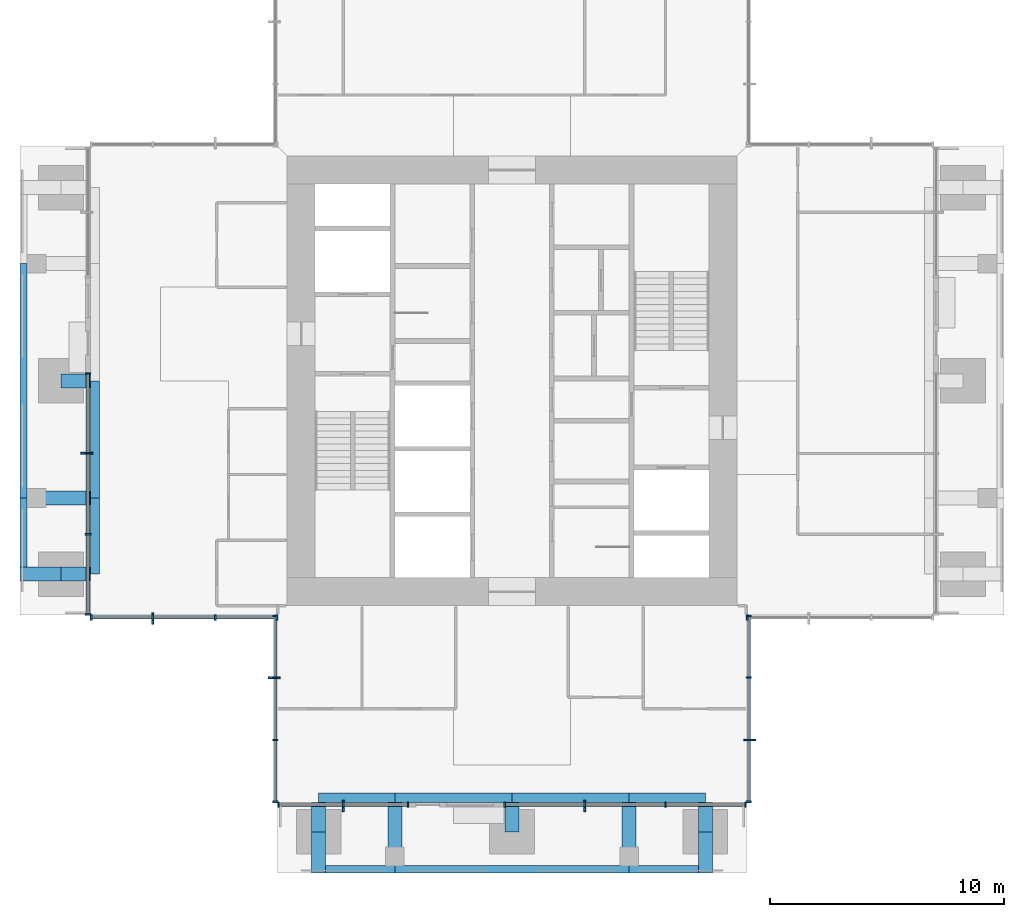
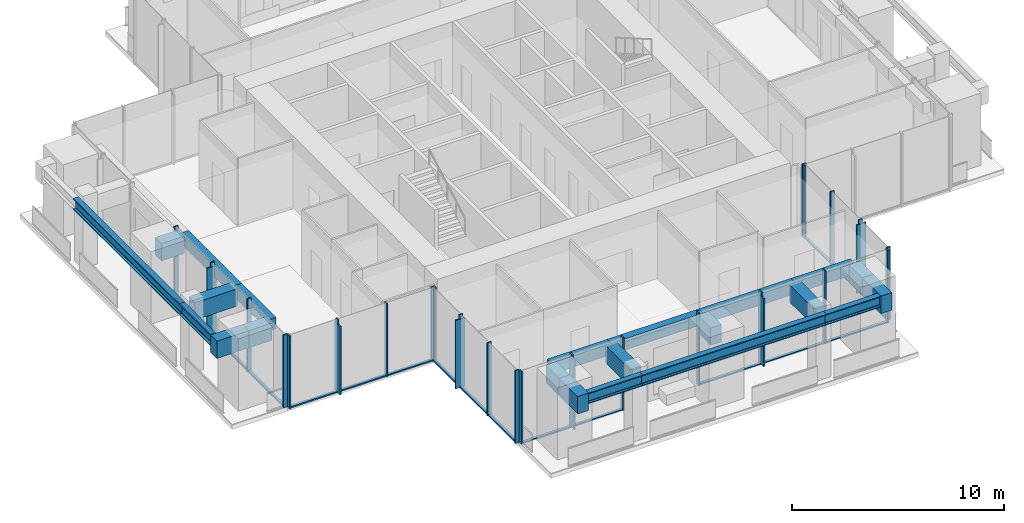
# One storey, part 2 of 12: 47 members, 22 beams, 7 elements without a shape of their own.
"""IFC4 building model written with IfcOpenShell, lengths in metres."""

from ifc_helpers import new_model, si_unit, direction, frame, origin, origin_2d, place, context, subcontext, project, spatial, rectangle, i_section, extrude, material, material_profile, profile_set, type_object, element, aggregate, save


model = new_model("IFC4")

# Units and contexts
model_context = context("Model", 3, precision=1e-05, world=origin(), true_north=direction((0.0, 1.0)))
body_context = subcontext(model_context, "Body", "Model", "MODEL_VIEW")
ifc_project = project(units=[si_unit("LENGTHUNIT", "METRE"), si_unit("AREAUNIT", "SQUARE_METRE"), si_unit("VOLUMEUNIT", "CUBIC_METRE"), si_unit("PLANEANGLEUNIT", "RADIAN"), si_unit("MASSUNIT", "GRAM", prefix="KILO")], contexts=[model_context])

# Site, building, storey
site_placement = place(None, origin())
site = spatial("IfcSite", under=ifc_project, at=site_placement, CompositionType="ELEMENT")
building_placement = place(site_placement, origin())
building = spatial("IfcBuilding", under=site, at=building_placement, Name="Svetlomir Tower", CompositionType="ELEMENT")
storey_placement = place(building_placement, frame((0.0, 0.0, 256.60009765625)))
storey = spatial("IfcBuildingStorey", under=building, at=storey_placement, Name="L61", CompositionType="ELEMENT", Elevation=256.60009765625)

# Curtain wall, member
ifc_material_1 = material(Name="Bronze anodised aluminium curtain wall", Category="aluminium")
curtain_wall_type = type_object("IfcCurtainWallType", Name="CURTAIN WALL CW4 EXECUTIVE", PredefinedType="NOTDEFINED", material=ifc_material_1)
curtain_wall_1_placement = place(storey_placement, origin())
curtain_wall_1 = element("IfcCurtainWall", 1, at=curtain_wall_1_placement, inside=storey, type_object=curtain_wall_type, Name="Curtain wall CW4 L61", PredefinedType="NOTDEFINED")
ifc_material_2 = material(Name="Bronze anodised aluminium", Category="aluminium")
ifc_material_profile_1 = material_profile(ifc_material_2, rectangle(XDim=0.080078125, YDim=0.5, at=origin_2d()), Name="FIN 80x500")
ifc_profile_set_1 = profile_set([ifc_material_profile_1], Name="Bronze anodised aluminium 6063-T6")
member_type_1 = type_object("IfcMemberType", Name="BRONZE FIN 80x500", PredefinedType="USERDEFINED", material=ifc_profile_set_1)
member_1_placement = place(storey_placement, frame((13.800048828125, 2.85009765625, 0.0), z_axis=(0.0, 0.0, 1.0), x_axis=(1.0, 0.0, 0.0)))
member_1 = element("IfcMember", 2, at=member_1_placement, type_object=member_type_1, Name="Bronze fin L61", ObjectType="FIN", PredefinedType="USERDEFINED", context=body_context, shape_type="SweptSolid", body=[
    extrude(rectangle(XDim=0.080078125, YDim=0.5, at=origin_2d()), origin(), (0.0, 0.0, 1.0), 3.949951171875),
])

curtain_wall_2_placement = place(storey_placement, origin())
curtain_wall_2 = element("IfcCurtainWall", 3, at=curtain_wall_2_placement, inside=storey, type_object=curtain_wall_type, Name="Curtain wall CW4 L61", PredefinedType="NOTDEFINED")
member_2_placement = place(storey_placement, frame((24.10009765625, 2.85009765625, 0.0), z_axis=(0.0, 0.0, 1.0), x_axis=(1.0, 0.0, 0.0)))
member_2 = element("IfcMember", 4, at=member_2_placement, type_object=member_type_1, Name="Bronze fin L61", ObjectType="FIN", PredefinedType="USERDEFINED", context=body_context, shape_type="SweptSolid", body=[
    extrude(rectangle(XDim=0.080078125, YDim=0.5, at=origin_2d()), origin(), (0.0, 0.0, 1.0), 3.949951171875),
])

curtain_wall_3_placement = place(storey_placement, origin())
curtain_wall_3 = element("IfcCurtainWall", 5, at=curtain_wall_3_placement, inside=storey, type_object=curtain_wall_type, Name="Curtain wall CW4 L61", PredefinedType="NOTDEFINED")
member_3_placement = place(storey_placement, frame((31.14990234375, 5.666748046875, 0.0), z_axis=(0.0, 0.0, 1.0), x_axis=(0.0, 1.0, 0.0)))
member_3 = element("IfcMember", 6, at=member_3_placement, type_object=member_type_1, Name="Bronze fin L61", ObjectType="FIN", PredefinedType="USERDEFINED", context=body_context, shape_type="SweptSolid", body=[
    extrude(rectangle(XDim=0.080078125, YDim=0.5, at=origin_2d()), origin(), (0.0, 0.0, 1.0), 3.949951171875),
])

curtain_wall_4_placement = place(storey_placement, origin())
curtain_wall_4 = element("IfcCurtainWall", 7, at=curtain_wall_4_placement, inside=storey, type_object=curtain_wall_type, Name="Curtain wall CW4 L61", PredefinedType="NOTDEFINED")
member_4_placement = place(storey_placement, frame((2.85009765625, 17.89990234375, 0.0), z_axis=(0.0, 0.0, 1.0), x_axis=(0.0, 1.0, 0.0)))
member_4 = element("IfcMember", 8, at=member_4_placement, type_object=member_type_1, Name="Bronze fin L61", ObjectType="FIN", PredefinedType="USERDEFINED", context=body_context, shape_type="SweptSolid", body=[
    extrude(rectangle(XDim=0.080078125, YDim=0.5, at=origin_2d()), origin(), (0.0, 0.0, 1.0), 3.949951171875),
])

curtain_wall_5_placement = place(storey_placement, origin())
curtain_wall_5 = element("IfcCurtainWall", 9, at=curtain_wall_5_placement, inside=storey, type_object=curtain_wall_type, Name="Curtain wall CW4 L61", PredefinedType="NOTDEFINED")
member_5_placement = place(storey_placement, frame((5.666748046875, 10.85009765625, 0.0), z_axis=(0.0, 0.0, 1.0), x_axis=(1.0, 0.0, 0.0)))
member_5 = element("IfcMember", 10, at=member_5_placement, type_object=member_type_1, Name="Bronze fin L61", ObjectType="FIN", PredefinedType="USERDEFINED", context=body_context, shape_type="SweptSolid", body=[
    extrude(rectangle(XDim=0.080078125, YDim=0.5, at=origin_2d()), origin(), (0.0, 0.0, 1.0), 3.949951171875),
])

curtain_wall_6_placement = place(storey_placement, origin())
curtain_wall_6 = element("IfcCurtainWall", 11, at=curtain_wall_6_placement, inside=storey, type_object=curtain_wall_type, Name="Curtain wall CW4 L61", PredefinedType="NOTDEFINED")
member_6_placement = place(storey_placement, frame((10.85009765625, 8.333251953125, 0.0), z_axis=(0.0, 0.0, 1.0), x_axis=(0.0, 1.0, 0.0)))
member_6 = element("IfcMember", 12, at=member_6_placement, type_object=member_type_1, Name="Bronze fin L61", ObjectType="FIN", PredefinedType="USERDEFINED", context=body_context, shape_type="SweptSolid", body=[
    extrude(rectangle(XDim=0.080078125, YDim=0.5, at=origin_2d()), origin(), (0.0, 0.0, 1.0), 3.949951171875),
])

# Member
ifc_material_3 = material(Name="Bronze anodised aluminium", Category="aluminium")
ifc_material_profile_2 = material_profile(ifc_material_3, rectangle(XDim=0.074951171875, YDim=0.219970703125, at=origin_2d()), Name="AL 75x220")
ifc_profile_set_2 = profile_set([ifc_material_profile_2], Name="Bronze anodised aluminium 6063-T6")
member_type_2 = type_object("IfcMemberType", Name="CW4 MULLION 75x220", PredefinedType="MULLION", material=ifc_profile_set_2)
member_7_placement = place(storey_placement, frame((11.03759765625, 2.89990234375, 0.0), z_axis=(0.0, 0.0, 1.0), x_axis=(1.0, 0.0, 0.0)))
member_7 = element("IfcMember", 13, at=member_7_placement, type_object=member_type_2, Name="CW4 mullion 1", PredefinedType="MULLION", context=body_context, shape_type="SweptSolid", body=[
    extrude(rectangle(XDim=0.074951171875, YDim=0.219970703125, at=origin_2d()), origin(), (0.0, 0.0, 1.0), 4.199951171875),
])

member_8_placement = place(storey_placement, frame((13.800048828125, 2.89990234375, 0.0), z_axis=(0.0, 0.0, 1.0), x_axis=(1.0, 0.0, 0.0)))
member_8 = element("IfcMember", 14, at=member_8_placement, type_object=member_type_2, Name="CW4 mullion 2", PredefinedType="MULLION", context=body_context, shape_type="SweptSolid", body=[
    extrude(rectangle(XDim=0.074951171875, YDim=0.219970703125, at=origin_2d()), origin(), (0.0, 0.0, 1.0), 4.199951171875),
])

member_9_placement = place(storey_placement, frame((16.5625, 2.89990234375, 0.0), z_axis=(0.0, 0.0, 1.0), x_axis=(1.0, 0.0, 0.0)))
member_9 = element("IfcMember", 15, at=member_9_placement, type_object=member_type_2, Name="CW4 mullion 3", PredefinedType="MULLION", context=body_context, shape_type="SweptSolid", body=[
    extrude(rectangle(XDim=0.074951171875, YDim=0.219970703125, at=origin_2d()), origin(), (0.0, 0.0, 1.0), 4.199951171875),
])

member_10_placement = place(storey_placement, frame((20.6875, 2.89990234375, 0.0), z_axis=(0.0, 0.0, 1.0), x_axis=(1.0, 0.0, 0.0)))
member_10 = element("IfcMember", 16, at=member_10_placement, type_object=member_type_2, Name="CW4 mullion 1", PredefinedType="MULLION", context=body_context, shape_type="SweptSolid", body=[
    extrude(rectangle(XDim=0.074951171875, YDim=0.219970703125, at=origin_2d()), origin(), (0.0, 0.0, 1.0), 4.199951171875),
])

member_11_placement = place(storey_placement, frame((24.10009765625, 2.89990234375, 0.0), z_axis=(0.0, 0.0, 1.0), x_axis=(1.0, 0.0, 0.0)))
member_11 = element("IfcMember", 17, at=member_11_placement, type_object=member_type_2, Name="CW4 mullion 2", PredefinedType="MULLION", context=body_context, shape_type="SweptSolid", body=[
    extrude(rectangle(XDim=0.074951171875, YDim=0.219970703125, at=origin_2d()), origin(), (0.0, 0.0, 1.0), 4.199951171875),
])

member_12_placement = place(storey_placement, frame((27.550048828125, 2.89990234375, 0.0), z_axis=(0.0, 0.0, 1.0), x_axis=(1.0, 0.0, 0.0)))
member_12 = element("IfcMember", 18, at=member_12_placement, type_object=member_type_2, Name="CW4 mullion 3", PredefinedType="MULLION", context=body_context, shape_type="SweptSolid", body=[
    extrude(rectangle(XDim=0.074951171875, YDim=0.219970703125, at=origin_2d()), origin(), (0.0, 0.0, 1.0), 4.199951171875),
])

member_13_placement = place(storey_placement, frame((30.96240234375, 2.89990234375, 0.0), z_axis=(0.0, 0.0, 1.0), x_axis=(1.0, 0.0, 0.0)))
member_13 = element("IfcMember", 19, at=member_13_placement, type_object=member_type_2, Name="CW4 mullion 4", PredefinedType="MULLION", context=body_context, shape_type="SweptSolid", body=[
    extrude(rectangle(XDim=0.074951171875, YDim=0.219970703125, at=origin_2d()), origin(), (0.0, 0.0, 1.0), 4.199951171875),
])

member_14_placement = place(storey_placement, frame((31.10009765625, 3.03759765625, 0.0), z_axis=(0.0, 0.0, 1.0), x_axis=(0.0, 1.0, 0.0)))
member_14 = element("IfcMember", 20, at=member_14_placement, type_object=member_type_2, Name="CW4 mullion 1", PredefinedType="MULLION", context=body_context, shape_type="SweptSolid", body=[
    extrude(rectangle(XDim=0.074951171875, YDim=0.219970703125, at=origin_2d()), origin(), (0.0, 0.0, 1.0), 4.199951171875),
])

member_15_placement = place(storey_placement, frame((31.10009765625, 5.666748046875, 0.0), z_axis=(0.0, 0.0, 1.0), x_axis=(0.0, 1.0, 0.0)))
member_15 = element("IfcMember", 21, at=member_15_placement, type_object=member_type_2, Name="CW4 mullion 2", PredefinedType="MULLION", context=body_context, shape_type="SweptSolid", body=[
    extrude(rectangle(XDim=0.074951171875, YDim=0.219970703125, at=origin_2d()), origin(), (0.0, 0.0, 1.0), 4.199951171875),
])

member_16_placement = place(storey_placement, frame((31.10009765625, 8.333251953125, 0.0), z_axis=(0.0, 0.0, 1.0), x_axis=(0.0, 1.0, 0.0)))
member_16 = element("IfcMember", 22, at=member_16_placement, type_object=member_type_2, Name="CW4 mullion 3", PredefinedType="MULLION", context=body_context, shape_type="SweptSolid", body=[
    extrude(rectangle(XDim=0.074951171875, YDim=0.219970703125, at=origin_2d()), origin(), (0.0, 0.0, 1.0), 4.199951171875),
])

member_17_placement = place(storey_placement, frame((31.10009765625, 10.96240234375, 0.0), z_axis=(0.0, 0.0, 1.0), x_axis=(0.0, 1.0, 0.0)))
member_17 = element("IfcMember", 23, at=member_17_placement, type_object=member_type_2, Name="CW4 mullion 4", PredefinedType="MULLION", context=body_context, shape_type="SweptSolid", body=[
    extrude(rectangle(XDim=0.074951171875, YDim=0.219970703125, at=origin_2d()), origin(), (0.0, 0.0, 1.0), 4.199951171875),
])

# Curtain wall, member
curtain_wall_7_placement = place(storey_placement, origin())
curtain_wall_7 = element("IfcCurtainWall", 24, at=curtain_wall_7_placement, inside=storey, type_object=curtain_wall_type, Name="Curtain wall CW4 L61", PredefinedType="NOTDEFINED")
member_18_placement = place(storey_placement, frame((31.03759765625, 10.89990234375, 0.0), z_axis=(0.0, 0.0, 1.0), x_axis=(1.0, 0.0, 0.0)))
member_18 = element("IfcMember", 25, at=member_18_placement, type_object=member_type_2, Name="CW4 mullion 1", PredefinedType="MULLION", context=body_context, shape_type="SweptSolid", body=[
    extrude(rectangle(XDim=0.074951171875, YDim=0.219970703125, at=origin_2d()), origin(), (0.0, 0.0, 1.0), 4.199951171875),
])
aggregate(curtain_wall_7, [member_18])

# Member
member_19_placement = place(storey_placement, frame((2.89990234375, 21.3125, 0.0), z_axis=(0.0, 0.0, 1.0), x_axis=(0.0, -1.0, 0.0)))
member_19 = element("IfcMember", 26, at=member_19_placement, type_object=member_type_2, Name="CW4 mullion 1", PredefinedType="MULLION", context=body_context, shape_type="SweptSolid", body=[
    extrude(rectangle(XDim=0.074951171875, YDim=0.219970703125, at=origin_2d()), origin(), (0.0, 0.0, 1.0), 4.199951171875),
])

member_20_placement = place(storey_placement, frame((2.89990234375, 17.89990234375, 0.0), z_axis=(0.0, 0.0, 1.0), x_axis=(0.0, -1.0, 0.0)))
member_20 = element("IfcMember", 27, at=member_20_placement, type_object=member_type_2, Name="CW4 mullion 2", PredefinedType="MULLION", context=body_context, shape_type="SweptSolid", body=[
    extrude(rectangle(XDim=0.074951171875, YDim=0.219970703125, at=origin_2d()), origin(), (0.0, 0.0, 1.0), 4.199951171875),
])

member_21_placement = place(storey_placement, frame((2.89990234375, 14.449951171875, 0.0), z_axis=(0.0, 0.0, 1.0), x_axis=(0.0, -1.0, 0.0)))
member_21 = element("IfcMember", 28, at=member_21_placement, type_object=member_type_2, Name="CW4 mullion 3", PredefinedType="MULLION", context=body_context, shape_type="SweptSolid", body=[
    extrude(rectangle(XDim=0.074951171875, YDim=0.219970703125, at=origin_2d()), origin(), (0.0, 0.0, 1.0), 4.199951171875),
])

member_22_placement = place(storey_placement, frame((2.89990234375, 11.03759765625, 0.0), z_axis=(0.0, 0.0, 1.0), x_axis=(0.0, -1.0, 0.0)))
member_22 = element("IfcMember", 29, at=member_22_placement, type_object=member_type_2, Name="CW4 mullion 4", PredefinedType="MULLION", context=body_context, shape_type="SweptSolid", body=[
    extrude(rectangle(XDim=0.074951171875, YDim=0.219970703125, at=origin_2d()), origin(), (0.0, 0.0, 1.0), 4.199951171875),
])

member_23_placement = place(storey_placement, frame((3.03759765625, 10.89990234375, 0.0), z_axis=(0.0, 0.0, 1.0), x_axis=(1.0, 0.0, 0.0)))
member_23 = element("IfcMember", 30, at=member_23_placement, type_object=member_type_2, Name="CW4 mullion 1", PredefinedType="MULLION", context=body_context, shape_type="SweptSolid", body=[
    extrude(rectangle(XDim=0.074951171875, YDim=0.219970703125, at=origin_2d()), origin(), (0.0, 0.0, 1.0), 4.199951171875),
])

member_24_placement = place(storey_placement, frame((5.666748046875, 10.89990234375, 0.0), z_axis=(0.0, 0.0, 1.0), x_axis=(1.0, 0.0, 0.0)))
member_24 = element("IfcMember", 31, at=member_24_placement, type_object=member_type_2, Name="CW4 mullion 2", PredefinedType="MULLION", context=body_context, shape_type="SweptSolid", body=[
    extrude(rectangle(XDim=0.074951171875, YDim=0.219970703125, at=origin_2d()), origin(), (0.0, 0.0, 1.0), 4.199951171875),
])

member_25_placement = place(storey_placement, frame((8.333251953125, 10.89990234375, 0.0), z_axis=(0.0, 0.0, 1.0), x_axis=(1.0, 0.0, 0.0)))
member_25 = element("IfcMember", 32, at=member_25_placement, type_object=member_type_2, Name="CW4 mullion 3", PredefinedType="MULLION", context=body_context, shape_type="SweptSolid", body=[
    extrude(rectangle(XDim=0.074951171875, YDim=0.219970703125, at=origin_2d()), origin(), (0.0, 0.0, 1.0), 4.199951171875),
])

member_26_placement = place(storey_placement, frame((10.96240234375, 10.89990234375, 0.0), z_axis=(0.0, 0.0, 1.0), x_axis=(1.0, 0.0, 0.0)))
member_26 = element("IfcMember", 33, at=member_26_placement, type_object=member_type_2, Name="CW4 mullion 4", PredefinedType="MULLION", context=body_context, shape_type="SweptSolid", body=[
    extrude(rectangle(XDim=0.074951171875, YDim=0.219970703125, at=origin_2d()), origin(), (0.0, 0.0, 1.0), 4.199951171875),
])

member_27_placement = place(storey_placement, frame((10.89990234375, 10.96240234375, 0.0), z_axis=(0.0, 0.0, 1.0), x_axis=(0.0, -1.0, 0.0)))
member_27 = element("IfcMember", 34, at=member_27_placement, type_object=member_type_2, Name="CW4 mullion 1", PredefinedType="MULLION", context=body_context, shape_type="SweptSolid", body=[
    extrude(rectangle(XDim=0.074951171875, YDim=0.219970703125, at=origin_2d()), origin(), (0.0, 0.0, 1.0), 4.199951171875),
])

member_28_placement = place(storey_placement, frame((10.89990234375, 8.333251953125, 0.0), z_axis=(0.0, 0.0, 1.0), x_axis=(0.0, -1.0, 0.0)))
member_28 = element("IfcMember", 35, at=member_28_placement, type_object=member_type_2, Name="CW4 mullion 2", PredefinedType="MULLION", context=body_context, shape_type="SweptSolid", body=[
    extrude(rectangle(XDim=0.074951171875, YDim=0.219970703125, at=origin_2d()), origin(), (0.0, 0.0, 1.0), 4.199951171875),
])

member_29_placement = place(storey_placement, frame((10.89990234375, 5.666748046875, 0.0), z_axis=(0.0, 0.0, 1.0), x_axis=(0.0, -1.0, 0.0)))
member_29 = element("IfcMember", 36, at=member_29_placement, type_object=member_type_2, Name="CW4 mullion 3", PredefinedType="MULLION", context=body_context, shape_type="SweptSolid", body=[
    extrude(rectangle(XDim=0.074951171875, YDim=0.219970703125, at=origin_2d()), origin(), (0.0, 0.0, 1.0), 4.199951171875),
])

member_30_placement = place(storey_placement, frame((10.89990234375, 3.03759765625, 0.0), z_axis=(0.0, 0.0, 1.0), x_axis=(0.0, -1.0, 0.0)))
member_30 = element("IfcMember", 37, at=member_30_placement, type_object=member_type_2, Name="CW4 mullion 4", PredefinedType="MULLION", context=body_context, shape_type="SweptSolid", body=[
    extrude(rectangle(XDim=0.074951171875, YDim=0.219970703125, at=origin_2d()), origin(), (0.0, 0.0, 1.0), 4.199951171875),
])

ifc_material_4 = material(Name="Bronze anodised aluminium", Category="aluminium")
ifc_material_profile_3 = material_profile(ifc_material_4, rectangle(XDim=0.14990234375, YDim=0.074951171875, at=origin_2d()), Name="AL 150x75")
ifc_profile_set_3 = profile_set([ifc_material_profile_3], Name="Bronze anodised aluminium 6063-T6")
member_type_3 = type_object("IfcMemberType", Name="CW4 TRANSOM 75x150", PredefinedType="USERDEFINED", material=ifc_profile_set_3)
member_31_placement = place(storey_placement, frame((11.074951171875, 2.89990234375, 0.037353515625), z_axis=(1.0, 0.0, 0.0), x_axis=(0.0, 1.0, 0.0)))
member_31 = element("IfcMember", 38, at=member_31_placement, type_object=member_type_3, Name="CW4 transom 1.1", ObjectType="TRANSOM", PredefinedType="USERDEFINED", context=body_context, shape_type="SweptSolid", body=[
    extrude(rectangle(XDim=0.14990234375, YDim=0.074951171875, at=origin_2d()), origin(), (0.0, 0.0, 1.0), 2.6875),
])

member_32_placement = place(storey_placement, frame((13.83740234375, 2.89990234375, 0.037353515625), z_axis=(1.0, 0.0, 0.0), x_axis=(0.0, 1.0, 0.0)))
member_32 = element("IfcMember", 39, at=member_32_placement, type_object=member_type_3, Name="CW4 transom 2.1", ObjectType="TRANSOM", PredefinedType="USERDEFINED", context=body_context, shape_type="SweptSolid", body=[
    extrude(rectangle(XDim=0.14990234375, YDim=0.074951171875, at=origin_2d()), origin(), (0.0, 0.0, 1.0), 2.6875),
])

aggregate(curtain_wall_1, [member_7, member_8, member_9, member_31, member_32, member_1])

member_33_placement = place(storey_placement, frame((20.72509765625, 2.89990234375, 0.037353515625), z_axis=(1.0, 0.0, 0.0), x_axis=(0.0, 1.0, 0.0)))
member_33 = element("IfcMember", 40, at=member_33_placement, type_object=member_type_3, Name="CW4 transom 1.1", ObjectType="TRANSOM", PredefinedType="USERDEFINED", context=body_context, shape_type="SweptSolid", body=[
    extrude(rectangle(XDim=0.14990234375, YDim=0.074951171875, at=origin_2d()), origin(), (0.0, 0.0, 1.0), 3.33740234375),
])

member_34_placement = place(storey_placement, frame((24.137451171875, 2.89990234375, 0.037353515625), z_axis=(1.0, 0.0, 0.0), x_axis=(0.0, 1.0, 0.0)))
member_34 = element("IfcMember", 41, at=member_34_placement, type_object=member_type_3, Name="CW4 transom 2.1", ObjectType="TRANSOM", PredefinedType="USERDEFINED", context=body_context, shape_type="SweptSolid", body=[
    extrude(rectangle(XDim=0.14990234375, YDim=0.074951171875, at=origin_2d()), origin(), (0.0, 0.0, 1.0), 3.375),
])

member_35_placement = place(storey_placement, frame((27.58740234375, 2.89990234375, 0.037353515625), z_axis=(1.0, 0.0, 0.0), x_axis=(0.0, 1.0, 0.0)))
member_35 = element("IfcMember", 42, at=member_35_placement, type_object=member_type_3, Name="CW4 transom 3.1", ObjectType="TRANSOM", PredefinedType="USERDEFINED", context=body_context, shape_type="SweptSolid", body=[
    extrude(rectangle(XDim=0.14990234375, YDim=0.074951171875, at=origin_2d()), origin(), (0.0, 0.0, 1.0), 3.337646484375),
])

aggregate(curtain_wall_2, [member_10, member_11, member_12, member_13, member_33, member_34, member_35, member_2])

member_36_placement = place(storey_placement, frame((31.10009765625, 3.074951171875, 0.037353515625), z_axis=(0.0, 1.0, 0.0), x_axis=(-1.0, 0.0, 0.0)))
member_36 = element("IfcMember", 43, at=member_36_placement, type_object=member_type_3, Name="CW4 transom 1.1", ObjectType="TRANSOM", PredefinedType="USERDEFINED", context=body_context, shape_type="SweptSolid", body=[
    extrude(rectangle(XDim=0.14990234375, YDim=0.074951171875, at=origin_2d()), origin(), (0.0, 0.0, 1.0), 2.55419921875),
])

member_37_placement = place(storey_placement, frame((31.10009765625, 5.7041015625, 0.037353515625), z_axis=(0.0, 1.0, 0.0), x_axis=(-1.0, 0.0, 0.0)))
member_37 = element("IfcMember", 44, at=member_37_placement, type_object=member_type_3, Name="CW4 transom 2.1", ObjectType="TRANSOM", PredefinedType="USERDEFINED", context=body_context, shape_type="SweptSolid", body=[
    extrude(rectangle(XDim=0.14990234375, YDim=0.074951171875, at=origin_2d()), origin(), (0.0, 0.0, 1.0), 2.591796875),
])

member_38_placement = place(storey_placement, frame((31.10009765625, 8.370849609375, 0.037353515625), z_axis=(0.0, 1.0, 0.0), x_axis=(-1.0, 0.0, 0.0)))
member_38 = element("IfcMember", 45, at=member_38_placement, type_object=member_type_3, Name="CW4 transom 3.1", ObjectType="TRANSOM", PredefinedType="USERDEFINED", context=body_context, shape_type="SweptSolid", body=[
    extrude(rectangle(XDim=0.14990234375, YDim=0.074951171875, at=origin_2d()), origin(), (0.0, 0.0, 1.0), 2.55419921875),
])

aggregate(curtain_wall_3, [member_14, member_15, member_16, member_17, member_36, member_37, member_38, member_3])

member_39_placement = place(storey_placement, frame((2.89990234375, 21.27490234375, 0.037353515625), z_axis=(0.0, -1.0, 0.0), x_axis=(1.0, 0.0, 0.0)))
member_39 = element("IfcMember", 46, at=member_39_placement, type_object=member_type_3, Name="CW4 transom 1.1", ObjectType="TRANSOM", PredefinedType="USERDEFINED", context=body_context, shape_type="SweptSolid", body=[
    extrude(rectangle(XDim=0.14990234375, YDim=0.074951171875, at=origin_2d()), origin(), (0.0, 0.0, 1.0), 3.33740234375),
])

member_40_placement = place(storey_placement, frame((2.89990234375, 17.862548828125, 0.037353515625), z_axis=(0.0, -1.0, 0.0), x_axis=(1.0, 0.0, 0.0)))
member_40 = element("IfcMember", 47, at=member_40_placement, type_object=member_type_3, Name="CW4 transom 2.1", ObjectType="TRANSOM", PredefinedType="USERDEFINED", context=body_context, shape_type="SweptSolid", body=[
    extrude(rectangle(XDim=0.14990234375, YDim=0.074951171875, at=origin_2d()), origin(), (0.0, 0.0, 1.0), 3.375),
])

member_41_placement = place(storey_placement, frame((2.89990234375, 14.41259765625, 0.037353515625), z_axis=(0.0, -1.0, 0.0), x_axis=(1.0, 0.0, 0.0)))
member_41 = element("IfcMember", 48, at=member_41_placement, type_object=member_type_3, Name="CW4 transom 3.1", ObjectType="TRANSOM", PredefinedType="USERDEFINED", context=body_context, shape_type="SweptSolid", body=[
    extrude(rectangle(XDim=0.14990234375, YDim=0.074951171875, at=origin_2d()), origin(), (0.0, 0.0, 1.0), 3.337646484375),
])

aggregate(curtain_wall_4, [member_19, member_20, member_21, member_22, member_39, member_40, member_41, member_4])

member_42_placement = place(storey_placement, frame((3.074951171875, 10.89990234375, 0.037353515625), z_axis=(1.0, 0.0, 0.0), x_axis=(0.0, 1.0, 0.0)))
member_42 = element("IfcMember", 49, at=member_42_placement, type_object=member_type_3, Name="CW4 transom 1.1", ObjectType="TRANSOM", PredefinedType="USERDEFINED", context=body_context, shape_type="SweptSolid", body=[
    extrude(rectangle(XDim=0.14990234375, YDim=0.074951171875, at=origin_2d()), origin(), (0.0, 0.0, 1.0), 2.55419921875),
])

member_43_placement = place(storey_placement, frame((5.7041015625, 10.89990234375, 0.037353515625), z_axis=(1.0, 0.0, 0.0), x_axis=(0.0, 1.0, 0.0)))
member_43 = element("IfcMember", 50, at=member_43_placement, type_object=member_type_3, Name="CW4 transom 2.1", ObjectType="TRANSOM", PredefinedType="USERDEFINED", context=body_context, shape_type="SweptSolid", body=[
    extrude(rectangle(XDim=0.14990234375, YDim=0.074951171875, at=origin_2d()), origin(), (0.0, 0.0, 1.0), 2.591796875),
])

member_44_placement = place(storey_placement, frame((8.370849609375, 10.89990234375, 0.037353515625), z_axis=(1.0, 0.0, 0.0), x_axis=(0.0, 1.0, 0.0)))
member_44 = element("IfcMember", 51, at=member_44_placement, type_object=member_type_3, Name="CW4 transom 3.1", ObjectType="TRANSOM", PredefinedType="USERDEFINED", context=body_context, shape_type="SweptSolid", body=[
    extrude(rectangle(XDim=0.14990234375, YDim=0.074951171875, at=origin_2d()), origin(), (0.0, 0.0, 1.0), 2.55419921875),
])

aggregate(curtain_wall_5, [member_23, member_24, member_25, member_26, member_42, member_43, member_44, member_5])

member_45_placement = place(storey_placement, frame((10.89990234375, 10.925048828125, 0.037353515625), z_axis=(0.0, -1.0, 0.0), x_axis=(1.0, 0.0, 0.0)))
member_45 = element("IfcMember", 52, at=member_45_placement, type_object=member_type_3, Name="CW4 transom 1.1", ObjectType="TRANSOM", PredefinedType="USERDEFINED", context=body_context, shape_type="SweptSolid", body=[
    extrude(rectangle(XDim=0.14990234375, YDim=0.074951171875, at=origin_2d()), origin(), (0.0, 0.0, 1.0), 2.55419921875),
])

member_46_placement = place(storey_placement, frame((10.89990234375, 8.2958984375, 0.037353515625), z_axis=(0.0, -1.0, 0.0), x_axis=(1.0, 0.0, 0.0)))
member_46 = element("IfcMember", 53, at=member_46_placement, type_object=member_type_3, Name="CW4 transom 2.1", ObjectType="TRANSOM", PredefinedType="USERDEFINED", context=body_context, shape_type="SweptSolid", body=[
    extrude(rectangle(XDim=0.14990234375, YDim=0.074951171875, at=origin_2d()), origin(), (0.0, 0.0, 1.0), 2.591796875),
])

member_47_placement = place(storey_placement, frame((10.89990234375, 5.629150390625, 0.037353515625), z_axis=(0.0, -1.0, 0.0), x_axis=(1.0, 0.0, 0.0)))
member_47 = element("IfcMember", 54, at=member_47_placement, type_object=member_type_3, Name="CW4 transom 3.1", ObjectType="TRANSOM", PredefinedType="USERDEFINED", context=body_context, shape_type="SweptSolid", body=[
    extrude(rectangle(XDim=0.14990234375, YDim=0.074951171875, at=origin_2d()), origin(), (0.0, 0.0, 1.0), 2.55419921875),
])

aggregate(curtain_wall_6, [member_27, member_28, member_29, member_30, member_45, member_46, member_47, member_6])

# Beams
ifc_material_5 = material(Name="Steel S355", Category="steel")
ifc_material_profile_4 = material_profile(ifc_material_5, i_section(OverallWidth=0.304931640625, OverallDepth=0.6201171875, WebThickness=0.02099609375, FlangeThickness=0.0400390625, FilletRadius=0.027099609375, at=origin_2d()), Name="HEM 600")
ifc_profile_set_4 = profile_set([ifc_material_profile_4], Name="Steel S355")
beam_type_1 = type_object("IfcBeamType", Name="EDGE BEAM HEM 600", PredefinedType="SPANDREL", material=ifc_profile_set_4)
for number, where, z_axis, x_axis, name in (
    (55, (13.050048828125, 0.152587890625, 3.639892578125), (1.0, 0.0, 0.0), (0.0, 1.0, 0.0), "Edge beam 11/0 to 16/0 under L62"),
    (56, (0.152587890625, 13.050048828125, 3.639892578125), (0.0, 1.0, 0.0), (-1.0, 0.0, 0.0), "Edge beam 0/11 to 0/16 under L62"),
):
    element("IfcBeam", number, at=place(storey_placement, frame(where, z_axis=z_axis, x_axis=x_axis)), inside=storey, type_object=beam_type_1, Name=name, PredefinedType="SPANDREL", context=body_context, shape_type="SweptSolid", body=[
        extrude(i_section(OverallWidth=0.304931640625, OverallDepth=0.6201171875, WebThickness=0.02099609375, FlangeThickness=0.0400390625, FilletRadius=0.027099609375, at=origin_2d()), origin(), (0.0, 0.0, 1.0), 2.949951171875),
    ])
for number, where, z_axis, x_axis, name in (
    (57, (16.0, 0.152587890625, 3.639892578125), (1.0, 0.0, 0.0), (0.0, 1.0, 0.0), "Edge beam 16/0 to 26/0 under L62"),
    (58, (0.152587890625, 16.0, 3.639892578125), (0.0, 1.0, 0.0), (-1.0, 0.0, 0.0), "Edge beam 0/16 to 0/26 under L62"),
):
    element("IfcBeam", number, at=place(storey_placement, frame(where, z_axis=z_axis, x_axis=x_axis)), inside=storey, type_object=beam_type_1, Name=name, PredefinedType="SPANDREL", context=body_context, shape_type="SweptSolid", body=[
        extrude(i_section(OverallWidth=0.304931640625, OverallDepth=0.6201171875, WebThickness=0.02099609375, FlangeThickness=0.0400390625, FilletRadius=0.027099609375, at=origin_2d()), origin(), (0.0, 0.0, 1.0), 10.0),
    ])
beam_1_placement = place(storey_placement, frame((26.0, 0.152587890625, 3.639892578125), z_axis=(1.0, 0.0, 0.0), x_axis=(0.0, 1.0, 0.0)))
element("IfcBeam", 59, at=beam_1_placement, inside=storey, type_object=beam_type_1, Name="Edge beam 26/0 to 31/0 under L62", PredefinedType="SPANDREL", context=body_context, shape_type="SweptSolid", body=[
    extrude(i_section(OverallWidth=0.304931640625, OverallDepth=0.6201171875, WebThickness=0.02099609375, FlangeThickness=0.0400390625, FilletRadius=0.027099609375, at=origin_2d()), origin(), (0.0, 0.0, 1.0), 2.949951171875),
])
ifc_material_6 = material(Name="Concrete C60/75", Category="concrete")
ifc_material_profile_5 = material_profile(ifc_material_6, rectangle(XDim=0.60009765625, YDim=1.0, at=origin_2d()), Name="RC 600x1000")
ifc_profile_set_5 = profile_set([ifc_material_profile_5], Name="Concrete C60/75")
beam_type_2 = type_object("IfcBeamType", Name="EDGE LINK BEAM RC 600x1000", PredefinedType="BEAM", material=ifc_profile_set_5)
for number, where, z_axis, x_axis, name in (
    (60, (1.75, 12.75, 3.449951171875), (-1.0, 0.0, 0.0), (0.0, -1.0, 0.0), "Edge link beam W 0/11 under L62"),
    (61, (12.75, 1.75, 3.449951171875), (0.0, -1.0, 0.0), (1.0, 0.0, 0.0), "Edge link beam S 11/0 under L62"),
    (62, (29.25, 1.75, 3.449951171875), (0.0, -1.0, 0.0), (1.0, 0.0, 0.0), "Edge link beam S 31/0 under L62"),
):
    element("IfcBeam", number, at=place(storey_placement, frame(where, z_axis=z_axis, x_axis=x_axis)), inside=storey, type_object=beam_type_2, Name=name, PredefinedType="BEAM", context=body_context, shape_type="SweptSolid", body=[
        extrude(rectangle(XDim=0.60009765625, YDim=1.0, at=origin_2d()), origin(), (0.0, 0.0, 1.0), 1.75),
    ])
ifc_material_7 = material(Name="Concrete C60/75", Category="concrete")
ifc_material_profile_6 = material_profile(ifc_material_7, rectangle(XDim=0.39990234375, YDim=0.64990234375, at=origin_2d()), Name="RC 400x650")
ifc_profile_set_6 = profile_set([ifc_material_profile_6], Name="Concrete C60/75")
beam_type_3 = type_object("IfcBeamType", Name="FACADE EDGE BEAM RC 400x650", PredefinedType="BEAM", material=ifc_profile_set_6)
beam_2_placement = place(storey_placement, frame((12.75, 3.199951171875, 3.625), z_axis=(1.0, 0.0, 0.0), x_axis=(0.0, 1.0, 0.0)))
element("IfcBeam", 63, at=beam_2_placement, inside=storey, type_object=beam_type_3, Name="Facade edge beam S 11 to 16 under L62", PredefinedType="BEAM", context=body_context, shape_type="SweptSolid", body=[
    extrude(rectangle(XDim=0.39990234375, YDim=0.64990234375, at=origin_2d()), origin(), (0.0, 0.0, 1.0), 3.25),
])
for number, where, z_axis, x_axis, name in (
    (64, (16.0, 3.199951171875, 3.625), (1.0, 0.0, 0.0), (0.0, 1.0, 0.0), "Facade edge beam S 16 to 21 under L62"),
    (65, (21.0, 3.199951171875, 3.625), (1.0, 0.0, 0.0), (0.0, 1.0, 0.0), "Facade edge beam S 21 to 26 under L62"),
):
    element("IfcBeam", number, at=place(storey_placement, frame(where, z_axis=z_axis, x_axis=x_axis)), inside=storey, type_object=beam_type_3, Name=name, PredefinedType="BEAM", context=body_context, shape_type="SweptSolid", body=[
        extrude(rectangle(XDim=0.39990234375, YDim=0.64990234375, at=origin_2d()), origin(), (0.0, 0.0, 1.0), 5.0),
    ])
for number, where, z_axis, x_axis, name in (
    (66, (26.0, 3.199951171875, 3.625), (1.0, 0.0, 0.0), (0.0, 1.0, 0.0), "Facade edge beam S 26 to 31 under L62"),
    (67, (3.199951171875, 12.75, 3.625), (0.0, 1.0, 0.0), (-1.0, 0.0, 0.0), "Facade edge beam W 11 to 16 under L62"),
):
    element("IfcBeam", number, at=place(storey_placement, frame(where, z_axis=z_axis, x_axis=x_axis)), inside=storey, type_object=beam_type_3, Name=name, PredefinedType="BEAM", context=body_context, shape_type="SweptSolid", body=[
        extrude(rectangle(XDim=0.39990234375, YDim=0.64990234375, at=origin_2d()), origin(), (0.0, 0.0, 1.0), 3.25),
    ])
beam_3_placement = place(storey_placement, frame((3.199951171875, 16.0, 3.625), z_axis=(0.0, 1.0, 0.0), x_axis=(-1.0, 0.0, 0.0)))
element("IfcBeam", 68, at=beam_3_placement, inside=storey, type_object=beam_type_3, Name="Facade edge beam W 16 to 21 under L62", PredefinedType="BEAM", context=body_context, shape_type="SweptSolid", body=[
    extrude(rectangle(XDim=0.39990234375, YDim=0.64990234375, at=origin_2d()), origin(), (0.0, 0.0, 1.0), 5.0),
])
ifc_material_8 = material(Name="Concrete C60/75", Category="concrete")
ifc_material_profile_7 = material_profile(ifc_material_8, rectangle(XDim=0.60009765625, YDim=1.0, at=origin_2d()), Name="RC 600x1000")
ifc_profile_set_7 = profile_set([ifc_material_profile_7], Name="Concrete C60/75")
beam_type_4 = type_object("IfcBeamType", Name="LOGGIA LINK BEAM RC 600x1000", PredefinedType="BEAM", material=ifc_profile_set_7)
beam_4_placement = place(storey_placement, frame((12.75, 1.75, 3.449951171875), z_axis=(0.0, 1.0, 0.0), x_axis=(-1.0, 0.0, 0.0)))
element("IfcBeam", 69, at=beam_4_placement, inside=storey, type_object=beam_type_4, Name="Loggia link beam S 11 under L62", PredefinedType="BEAM", context=body_context, shape_type="SweptSolid", body=[
    extrude(rectangle(XDim=0.60009765625, YDim=1.0, at=origin_2d()), origin(), (0.0, 0.0, 1.0), 1.25),
])
beam_5_placement = place(storey_placement, frame((16.0, 0.699951171875, 3.449951171875), z_axis=(0.0, 1.0, 0.0), x_axis=(-1.0, 0.0, 0.0)))
element("IfcBeam", 70, at=beam_5_placement, inside=storey, type_object=beam_type_4, Name="Loggia link beam S 16 under L62", PredefinedType="BEAM", context=body_context, shape_type="SweptSolid", body=[
    extrude(rectangle(XDim=0.60009765625, YDim=1.0, at=origin_2d()), origin(), (0.0, 0.0, 1.0), 2.300048828125),
])
beam_6_placement = place(storey_placement, frame((21.0, 1.75, 3.449951171875), z_axis=(0.0, 1.0, 0.0), x_axis=(-1.0, 0.0, 0.0)))
element("IfcBeam", 71, at=beam_6_placement, inside=storey, type_object=beam_type_4, Name="Loggia link beam S 21 under L62", PredefinedType="BEAM", context=body_context, shape_type="SweptSolid", body=[
    extrude(rectangle(XDim=0.60009765625, YDim=1.0, at=origin_2d()), origin(), (0.0, 0.0, 1.0), 1.25),
])
beam_7_placement = place(storey_placement, frame((26.0, 0.699951171875, 3.449951171875), z_axis=(0.0, 1.0, 0.0), x_axis=(-1.0, 0.0, 0.0)))
element("IfcBeam", 72, at=beam_7_placement, inside=storey, type_object=beam_type_4, Name="Loggia link beam S 26 under L62", PredefinedType="BEAM", context=body_context, shape_type="SweptSolid", body=[
    extrude(rectangle(XDim=0.60009765625, YDim=1.0, at=origin_2d()), origin(), (0.0, 0.0, 1.0), 2.300048828125),
])
for number, where, z_axis, x_axis, name in (
    (73, (29.25, 1.75, 3.449951171875), (0.0, 1.0, 0.0), (-1.0, 0.0, 0.0), "Loggia link beam S 31 under L62"),
    (74, (1.75, 12.75, 3.449951171875), (1.0, 0.0, 0.0), (0.0, 1.0, 0.0), "Loggia link beam W 11 under L62"),
):
    element("IfcBeam", number, at=place(storey_placement, frame(where, z_axis=z_axis, x_axis=x_axis)), inside=storey, type_object=beam_type_4, Name=name, PredefinedType="BEAM", context=body_context, shape_type="SweptSolid", body=[
        extrude(rectangle(XDim=0.60009765625, YDim=1.0, at=origin_2d()), origin(), (0.0, 0.0, 1.0), 1.25),
    ])
beam_8_placement = place(storey_placement, frame((0.699951171875, 16.0, 3.449951171875), z_axis=(1.0, 0.0, 0.0), x_axis=(0.0, 1.0, 0.0)))
element("IfcBeam", 75, at=beam_8_placement, inside=storey, type_object=beam_type_4, Name="Loggia link beam W 16 under L62", PredefinedType="BEAM", context=body_context, shape_type="SweptSolid", body=[
    extrude(rectangle(XDim=0.60009765625, YDim=1.0, at=origin_2d()), origin(), (0.0, 0.0, 1.0), 2.300048828125),
])
beam_9_placement = place(storey_placement, frame((1.75, 21.0, 3.449951171875), z_axis=(1.0, 0.0, 0.0), x_axis=(0.0, 1.0, 0.0)))
element("IfcBeam", 76, at=beam_9_placement, inside=storey, type_object=beam_type_4, Name="Loggia link beam W 21 under L62", PredefinedType="BEAM", context=body_context, shape_type="SweptSolid", body=[
    extrude(rectangle(XDim=0.60009765625, YDim=1.0, at=origin_2d()), origin(), (0.0, 0.0, 1.0), 1.25),
])

save(model, "model.ifc")
